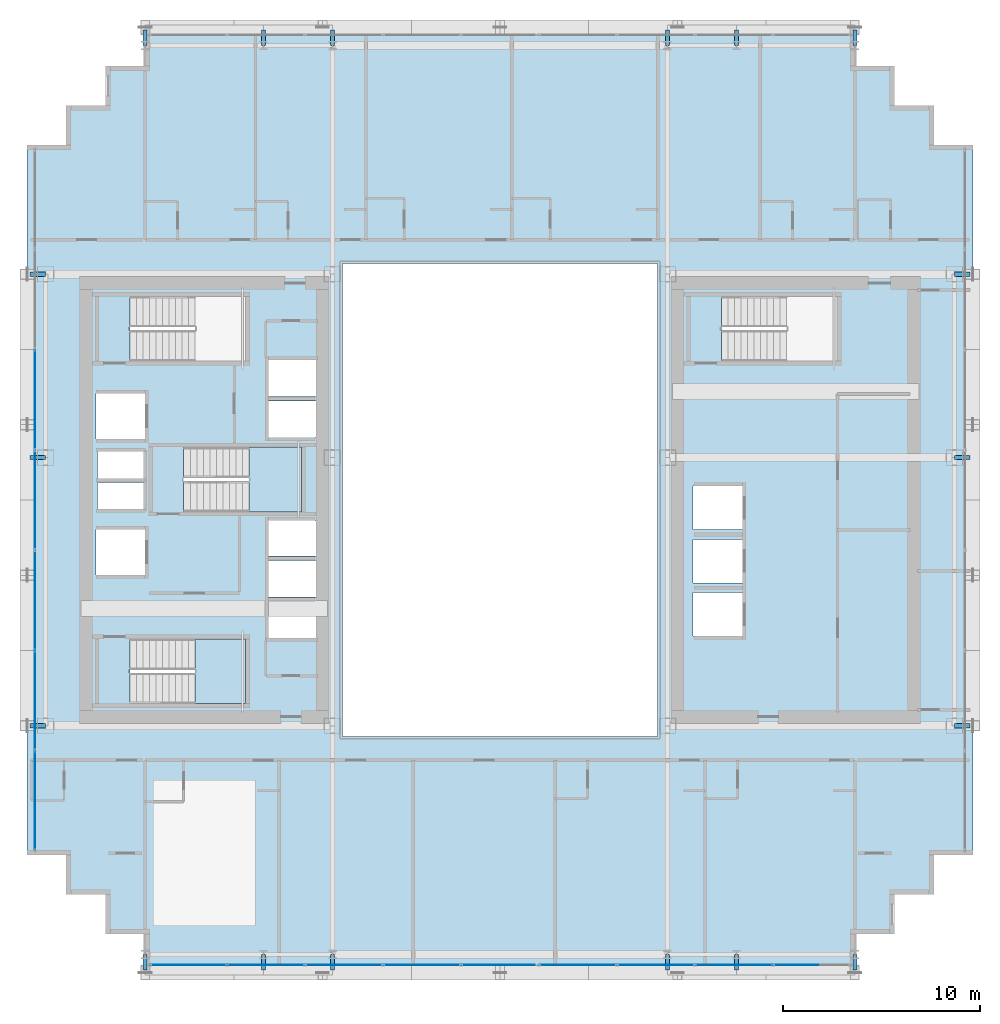
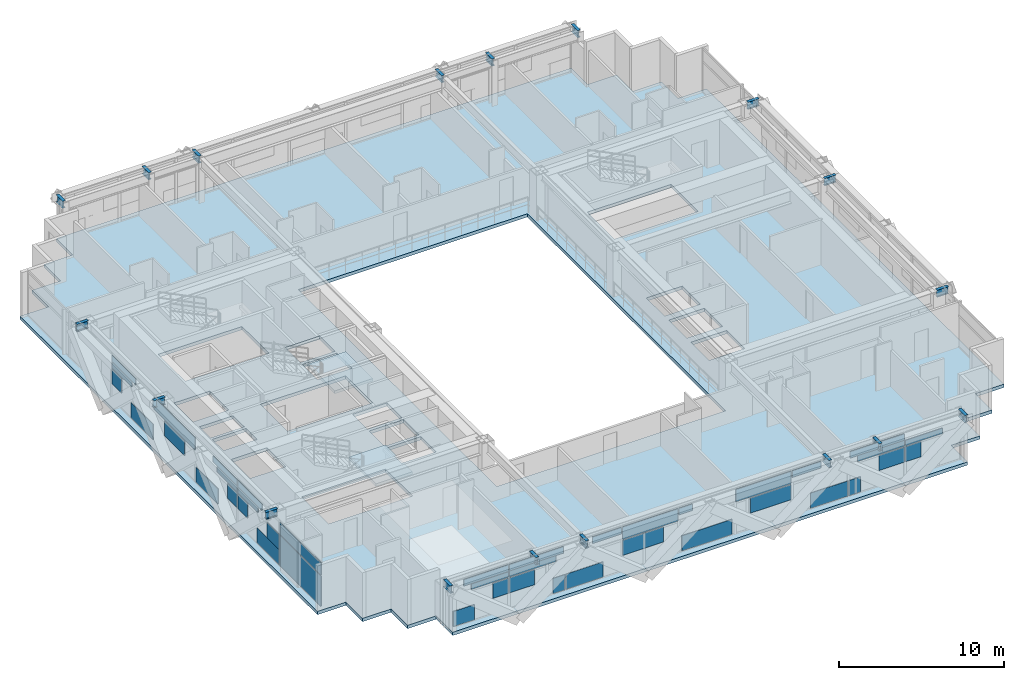
# One storey, part 23 of 35: 41 plates, 18 beams, 3 slabs, 4 elements without a shape of their own.
"""IFC4 building model written with IfcOpenShell, lengths in metres."""

from ifc_helpers import new_model, si_unit, direction, frame, origin, origin_2d, place, context, subcontext, project, spatial, polyline, rectangle, i_section, outline, extrude, source, transform, mapped, material, layer, layer_set, material_profile, profile_set, type_object, element, aggregate, save


model = new_model("IFC4")

# Units and contexts
model_context = context("Model", 3, precision=1e-05, world=origin(), true_north=direction((0.0, 1.0)))
body_context = subcontext(model_context, "Body", "Model", "MODEL_VIEW")
ifc_project = project(units=[si_unit("LENGTHUNIT", "METRE"), si_unit("AREAUNIT", "SQUARE_METRE"), si_unit("VOLUMEUNIT", "CUBIC_METRE"), si_unit("PLANEANGLEUNIT", "RADIAN"), si_unit("MASSUNIT", "GRAM", prefix="KILO")], contexts=[model_context])

# Site, building, storey
site_placement = place(None, origin())
site = spatial("IfcSite", under=ifc_project, at=site_placement, CompositionType="ELEMENT")
building_placement = place(site_placement, origin())
building = spatial("IfcBuilding", under=site, at=building_placement, Name="Ocotamira Hotel", CompositionType="ELEMENT")
storey_placement = place(building_placement, frame((0.0, 0.0, 144.0)))
storey = spatial("IfcBuildingStorey", under=building, at=storey_placement, Name="L36", CompositionType="ELEMENT", Elevation=144.0)

# Beams
ifc_material_1 = material(Name="Steel ASTM A992 Grade 50", Category="steel")
ifc_material_profile = material_profile(ifc_material_1, i_section(OverallWidth=0.2099609375, OverallDepth=0.537109375, WebThickness=0.010986328125, FlangeThickness=0.017333984375, FilletRadius=0.012939453125, at=origin_2d()), Name="W21X68")
ifc_profile_set = profile_set([ifc_material_profile], Name="Steel ASTM A992 Grade 50")
beam_type = type_object("IfcBeamType", Name="BM-SEC-W21X68", PredefinedType="JOIST", material=ifc_profile_set)
shared_shape_1 = source(origin(), body_context, "Body", "SweptSolid", [
    extrude(i_section(OverallWidth=0.2099609375, OverallDepth=0.537109375, WebThickness=0.010986328125, FlangeThickness=0.017333984375, FilletRadius=0.012939453125, at=origin_2d()), origin(), (0.0, 0.0, 1.0), 0.800048828125),
])
for number, where, z_axis, x_axis, name in (
    (1, (14.0, 2.949951171875, 3.091552734375), (0.0, -1.0, 0.0), (1.0, 0.0, 0.0), "L36 South Edge Header X14"),
    (2, (14.0, 49.050048828125, 3.091552734375), (0.0, 1.0, 0.0), (-1.0, 0.0, 0.0), "L36 North Edge Header X14"),
    (3, (20.0, 2.949951171875, 3.091552734375), (0.0, -1.0, 0.0), (1.0, 0.0, 0.0), "L36 South Edge Header X20"),
    (4, (20.0, 49.050048828125, 3.091552734375), (0.0, 1.0, 0.0), (-1.0, 0.0, 0.0), "L36 North Edge Header X20"),
    (5, (23.5, 2.949951171875, 3.091552734375), (0.0, -1.0, 0.0), (1.0, 0.0, 0.0), "L36 South Edge Header X23.5"),
    (6, (23.5, 49.050048828125, 3.091552734375), (0.0, 1.0, 0.0), (-1.0, 0.0, 0.0), "L36 North Edge Header X23.5"),
    (7, (40.5, 2.949951171875, 3.091552734375), (0.0, -1.0, 0.0), (1.0, 0.0, 0.0), "L36 South Edge Header X40.5"),
    (8, (40.5, 49.050048828125, 3.091552734375), (0.0, 1.0, 0.0), (-1.0, 0.0, 0.0), "L36 North Edge Header X40.5"),
    (9, (44.0, 2.949951171875, 3.091552734375), (0.0, -1.0, 0.0), (1.0, 0.0, 0.0), "L36 South Edge Header X44"),
    (10, (44.0, 49.050048828125, 3.091552734375), (0.0, 1.0, 0.0), (-1.0, 0.0, 0.0), "L36 North Edge Header X44"),
    (11, (50.0, 2.949951171875, 3.091552734375), (0.0, -1.0, 0.0), (1.0, 0.0, 0.0), "L36 South Edge Header X50"),
    (12, (50.0, 49.050048828125, 3.091552734375), (0.0, 1.0, 0.0), (-1.0, 0.0, 0.0), "L36 North Edge Header X50"),
    (13, (8.949951171875, 14.550048828125, 3.091552734375), (-1.0, 0.0, 0.0), (0.0, -1.0, 0.0), "L36 West Edge Header Y14.55"),
    (14, (55.050048828125, 14.550048828125, 3.091552734375), (1.0, 0.0, 0.0), (0.0, 1.0, 0.0), "L36 East Edge Header Y14.55"),
    (15, (8.949951171875, 28.14990234375, 3.091552734375), (-1.0, 0.0, 0.0), (0.0, -1.0, 0.0), "L36 West Edge Header Y28.15"),
    (16, (55.050048828125, 28.14990234375, 3.091552734375), (1.0, 0.0, 0.0), (0.0, 1.0, 0.0), "L36 East Edge Header Y28.15"),
    (17, (8.949951171875, 37.449951171875, 3.091552734375), (-1.0, 0.0, 0.0), (0.0, -1.0, 0.0), "L36 West Edge Header Y37.45"),
    (18, (55.050048828125, 37.449951171875, 3.091552734375), (1.0, 0.0, 0.0), (0.0, 1.0, 0.0), "L36 East Edge Header Y37.45"),
):
    element("IfcBeam", number, at=place(storey_placement, frame(where, z_axis=z_axis, x_axis=x_axis)), inside=storey, type_object=beam_type, Name=name, PredefinedType="JOIST", context=body_context, shape_type="MappedRepresentation", body=[
        mapped(shared_shape_1, transform((0.0, 0.0, 0.0), scale=1.0)),
    ])

# Stair, slab
ifc_material_2 = material(Name="Concrete C40/50", Category="concrete")
stair_type = type_object("IfcStairType", Name="ST-CORE-1560", PredefinedType="HALF_TURN_STAIR", material=ifc_material_2)
stair_1_placement = place(storey_placement, origin())
stair_1 = element("IfcStair", 19, at=stair_1_placement, inside=storey, type_object=stair_type, Name="L36 Exit Stair ST-1", PredefinedType="HALF_TURN_STAIR")
ifc_layer_1 = layer(ifc_material_2, 0.199951171875)
ifc_layer_set_1 = layer_set([ifc_layer_1], Name="Concrete C40/50")
slab_type_1 = type_object("IfcSlabType", Name="SLB-LAND-200", PredefinedType="LANDING", material=ifc_layer_set_1)
slab_1_placement = place(storey_placement, frame((0.0, 0.0, 1.60009765625)))
slab_1 = element("IfcSlab", 20, at=slab_1_placement, type_object=slab_type_1, Name="ST-1 landing 1", PredefinedType="LANDING", context=body_context, shape_type="SweptSolid", body=[
    extrude(outline(polyline([(16.530029296875, 15.669921875), (19.090087890625, 15.669921875), (19.090087890625, 18.949951171875), (16.530029296875, 18.949951171875), (16.530029296875, 15.669921875)])), origin(), (0.0, 0.0, 1.0), 0.199951171875),
])
aggregate(stair_1, [slab_1])

stair_2_placement = place(storey_placement, origin())
stair_2 = element("IfcStair", 21, at=stair_2_placement, inside=storey, type_object=stair_type, Name="L36 Exit Stair ST-3", PredefinedType="HALF_TURN_STAIR")
slab_2_placement = place(storey_placement, frame((0.0, 0.0, 1.60009765625)))
slab_2 = element("IfcSlab", 22, at=slab_2_placement, type_object=slab_type_1, Name="ST-3 landing 1", PredefinedType="LANDING", context=body_context, shape_type="SweptSolid", body=[
    extrude(outline(polyline([(19.260009765625, 25.39990234375), (21.919921875, 25.39990234375), (21.919921875, 28.679931640625), (19.260009765625, 28.679931640625), (19.260009765625, 25.39990234375)])), origin(), (0.0, 0.0, 1.0), 0.199951171875),
])
aggregate(stair_2, [slab_2])

# Slab
ifc_layer_2 = layer(ifc_material_2, 0.239990234375)
ifc_layer_set_2 = layer_set([ifc_layer_2], Name="Concrete C40/50")
slab_type_2 = type_object("IfcSlabType", Name="SLB-TYP-240", PredefinedType="FLOOR", material=ifc_layer_set_2)
slab_3_placement = place(storey_placement, frame((0.0, 0.0, -0.239990234375)))
element("IfcSlab", 23, at=slab_3_placement, inside=storey, type_object=slab_type_2, Name="L36 Structural Floor Slab", PredefinedType="FLOOR", context=body_context, shape_type="SweptSolid", body=[
    extrude(outline(polyline([(14.0, 2.0), (50.0, 2.0), (50.0, 4.0), (52.0, 4.0), (52.0, 6.0), (54.0, 6.0), (54.0, 8.0), (56.0, 8.0), (56.0, 44.0), (54.0, 44.0), (54.0, 46.0), (52.0, 46.0), (52.0, 48.0), (50.0, 48.0), (50.0, 50.0), (14.0, 50.0), (14.0, 48.0), (12.0, 48.0), (12.0, 46.0), (10.0, 46.0), (10.0, 44.0), (8.0, 44.0), (8.0, 8.0), (10.0, 8.0), (10.0, 6.0), (12.0, 6.0), (12.0, 4.0), (14.0, 4.0), (14.0, 2.0)]), holes=[polyline([(24.0, 14.0), (40.0, 14.0), (40.0, 38.0), (24.0, 38.0), (24.0, 14.0)]), polyline([(13.22998046875, 15.669921875), (19.090087890625, 15.669921875), (19.090087890625, 18.949951171875), (13.22998046875, 18.949951171875), (13.22998046875, 15.669921875)]), polyline([(13.22998046875, 33.050048828125), (19.090087890625, 33.050048828125), (19.090087890625, 36.330078125), (13.22998046875, 36.330078125), (13.22998046875, 33.050048828125)]), polyline([(15.9599609375, 25.39990234375), (21.919921875, 25.39990234375), (21.919921875, 28.679931640625), (15.9599609375, 28.679931640625), (15.9599609375, 25.39990234375)]), polyline([(43.22998046875, 33.050048828125), (49.090087890625, 33.050048828125), (49.090087890625, 36.330078125), (43.22998046875, 36.330078125), (43.22998046875, 33.050048828125)]), polyline([(41.800048828125, 19.10009765625), (44.300048828125, 19.10009765625), (44.300048828125, 21.300048828125), (41.800048828125, 21.300048828125), (41.800048828125, 19.10009765625)]), polyline([(41.800048828125, 21.800048828125), (44.300048828125, 21.800048828125), (44.300048828125, 24.0), (41.800048828125, 24.0), (41.800048828125, 21.800048828125)]), polyline([(41.800048828125, 24.5), (44.300048828125, 24.5), (44.300048828125, 26.699951171875), (41.800048828125, 26.699951171875), (41.800048828125, 24.5)]), polyline([(20.25, 19.0), (22.659912109375, 19.0), (22.659912109375, 20.85009765625), (20.25, 20.85009765625), (20.25, 19.0)]), polyline([(20.25, 21.080078125), (22.659912109375, 21.080078125), (22.659912109375, 22.929931640625), (20.25, 22.929931640625), (20.25, 21.080078125)]), polyline([(20.25, 23.159912109375), (22.659912109375, 23.159912109375), (22.659912109375, 24.9599609375), (20.25, 24.9599609375), (20.25, 23.159912109375)]), polyline([(20.25, 29.179931640625), (22.659912109375, 29.179931640625), (22.659912109375, 31.030029296875), (20.25, 31.030029296875), (20.25, 29.179931640625)]), polyline([(20.25, 31.260009765625), (22.659912109375, 31.260009765625), (22.659912109375, 33.110107421875), (20.25, 33.110107421875), (20.25, 31.260009765625)]), polyline([(11.5, 22.199951171875), (14.0, 22.199951171875), (14.0, 24.5), (11.5, 24.5), (11.5, 22.199951171875)]), polyline([(11.5, 29.10009765625), (14.0, 29.10009765625), (14.0, 31.39990234375), (11.5, 31.39990234375), (11.5, 29.10009765625)]), polyline([(11.580078125, 25.550048828125), (13.919921875, 25.550048828125), (13.919921875, 26.89990234375), (11.580078125, 26.89990234375), (11.580078125, 25.550048828125)]), polyline([(11.580078125, 27.10009765625), (13.919921875, 27.10009765625), (13.919921875, 28.449951171875), (11.580078125, 28.449951171875), (11.580078125, 27.10009765625)])]), origin(), (0.0, 0.0, 1.0), 0.239990234375),
])

# Curtain wall, plate
ifc_material_3 = material(Name="Anodised pale-metal aluminium and solar glass", Category="aluminium")
ifc_layer_3 = layer(ifc_material_3, 0.179931640625)
ifc_layer_set_3 = layer_set([ifc_layer_3], Name="Anodised pale-metal aluminium and solar glass")
curtain_wall_type = type_object("IfcCurtainWallType", Name="CW-SYS3-Z2", PredefinedType="NOTDEFINED", material=ifc_layer_set_3)
curtain_wall_1_placement = place(storey_placement, origin())
curtain_wall_1 = element("IfcCurtainWall", 24, at=curtain_wall_1_placement, inside=storey, type_object=curtain_wall_type, Name="L36 Curtain Wall CW-3 CW-L36-W", PredefinedType="NOTDEFINED")
ifc_material_4 = material(Name="Double-silver low-E insulated solar glass", Category="glass")
ifc_layer_4 = layer(ifc_material_4, 0.031982421875)
ifc_layer_set_4 = layer_set([ifc_layer_4], Name="Double-silver low-E insulated solar glass")
plate_type = type_object("IfcPlateType", Name="CWP-VISION-32", PredefinedType="CURTAIN_PANEL", material=ifc_layer_set_4)
shared_shape_2 = source(origin(), body_context, "Body", "SweptSolid", [
    extrude(rectangle(XDim=4.9658203125, YDim=0.031982421875, at=origin_2d()), origin(), (0.0, 0.0, 1.0), 2.237548828125),
])
plate_1_placement = place(storey_placement, frame((8.419921875, 10.762939453125, 0.0751953125), z_axis=(0.0, 0.0, 1.0), x_axis=(0.0, 1.0, 0.0)))
plate_1 = element("IfcPlate", 25, at=plate_1_placement, type_object=plate_type, Name="CW-3 panel 1.1", PredefinedType="CURTAIN_PANEL", context=body_context, shape_type="MappedRepresentation", body=[
    mapped(shared_shape_2, transform((0.0, 0.0, 0.0), scale=1.0)),
])

# Curtain wall, plates
curtain_wall_2_placement = place(storey_placement, origin())
curtain_wall_2 = element("IfcCurtainWall", 26, at=curtain_wall_2_placement, inside=storey, type_object=curtain_wall_type, Name="L36 Curtain Wall CW-3 CW-L36-S1", PredefinedType="NOTDEFINED")
shared_shape_3 = source(origin(), body_context, "Body", "SweptSolid", [
    extrude(rectangle(XDim=3.87548828125, YDim=0.031982421875, at=origin_2d()), origin(), (0.0, 0.0, 1.0), 0.8974609375),
])
plate_2_placement = place(storey_placement, frame((28.04443359375, 2.419921875, 2.387451171875), z_axis=(0.0, 0.0, 1.0), x_axis=(1.0, 0.0, 0.0)))
plate_2 = element("IfcPlate", 27, at=plate_2_placement, type_object=plate_type, Name="CW-3 panel 4.2", PredefinedType="CURTAIN_PANEL", context=body_context, shape_type="MappedRepresentation", body=[
    mapped(shared_shape_3, transform((0.0, 0.0, 0.0), scale=1.0)),
])
plate_3_placement = place(storey_placement, frame((35.95556640625, 2.419921875, 2.387451171875), z_axis=(0.0, 0.0, 1.0), x_axis=(1.0, 0.0, 0.0)))
plate_3 = element("IfcPlate", 28, at=plate_3_placement, type_object=plate_type, Name="CW-3 panel 6.2", PredefinedType="CURTAIN_PANEL", context=body_context, shape_type="MappedRepresentation", body=[
    mapped(shared_shape_3, transform((0.0, 0.0, 0.0), scale=1.0)),
])

# Plate
shared_shape_4 = source(origin(), body_context, "Body", "SweptSolid", [
    extrude(rectangle(XDim=4.9658203125, YDim=0.031982421875, at=origin_2d()), origin(), (0.0, 0.0, 1.0), 0.8974609375),
])
plate_4_placement = place(storey_placement, frame((8.419921875, 10.762939453125, 2.387451171875), z_axis=(0.0, 0.0, 1.0), x_axis=(0.0, 1.0, 0.0)))
plate_4 = element("IfcPlate", 29, at=plate_4_placement, type_object=plate_type, Name="CW-3 panel 1.2", PredefinedType="CURTAIN_PANEL", context=body_context, shape_type="MappedRepresentation", body=[
    mapped(shared_shape_4, transform((0.0, 0.0, 0.0), scale=1.0)),
])

shared_shape_5 = source(origin(), body_context, "Body", "SweptSolid", [
    extrude(rectangle(XDim=2.404296875, YDim=0.031982421875, at=origin_2d()), origin(), (0.0, 0.0, 1.0), 1.118896484375),
])
plate_5_placement = place(storey_placement, frame((8.419921875, 26.0, 1.19384765625), z_axis=(0.0, 0.0, 1.0), x_axis=(0.0, 1.0, 0.0)))
plate_5 = element("IfcPlate", 30, at=plate_5_placement, type_object=plate_type, Name="CW-3 panel 4.1.1", PredefinedType="CURTAIN_PANEL", context=body_context, shape_type="MappedRepresentation", body=[
    mapped(shared_shape_5, transform((0.0, 0.0, 0.0), scale=1.0)),
])

shared_shape_6 = source(origin(), body_context, "Body", "SweptSolid", [
    extrude(rectangle(XDim=1.47509765625, YDim=0.031982421875, at=origin_2d()), origin(), (0.0, 0.0, 1.0), 1.118896484375),
])
plate_6_placement = place(storey_placement, frame((15.017578125, 2.419921875, 0.0751953125), z_axis=(0.0, 0.0, 1.0), x_axis=(1.0, 0.0, 0.0)))
plate_6 = element("IfcPlate", 31, at=plate_6_placement, type_object=plate_type, Name="CW-3 panel 1.1.1", PredefinedType="CURTAIN_PANEL", context=body_context, shape_type="MappedRepresentation", body=[
    mapped(shared_shape_6, transform((0.0, 0.0, 0.0), scale=1.0)),
])

shared_shape_7 = source(origin(), body_context, "Body", "SweptSolid", [
    extrude(rectangle(XDim=3.104248046875, YDim=0.031982421875, at=origin_2d()), origin(), (0.0, 0.0, 1.0), 0.4716796875),
])
plate_7_placement = place(storey_placement, frame((16.5634765625, 2.419921875, 2.813232421875), z_axis=(0.0, 0.0, 1.0), x_axis=(1.0, 0.0, 0.0)))
plate_7 = element("IfcPlate", 32, at=plate_7_placement, type_object=plate_type, Name="CW-3 panel 1.2.1", PredefinedType="CURTAIN_PANEL", context=body_context, shape_type="MappedRepresentation", body=[
    mapped(shared_shape_7, transform((0.0, 0.0, 0.0), scale=1.0)),
])

shared_shape_8 = source(origin(), body_context, "Body", "SweptSolid", [
    extrude(rectangle(XDim=0.826171875, YDim=0.031982421875, at=origin_2d()), origin(), (0.0, 0.0, 1.0), 1.118896484375),
])
plate_8_placement = place(storey_placement, frame((21.658203125, 2.419921875, 0.0751953125), z_axis=(0.0, 0.0, 1.0), x_axis=(1.0, 0.0, 0.0)))
plate_8 = element("IfcPlate", 33, at=plate_8_placement, type_object=plate_type, Name="CW-3 panel 2.1.2", PredefinedType="CURTAIN_PANEL", context=body_context, shape_type="MappedRepresentation", body=[
    mapped(shared_shape_8, transform((0.0, 0.0, 0.0), scale=1.0)),
])

plate_9_placement = place(storey_placement, frame((42.341796875, 2.419921875, 0.0751953125), z_axis=(0.0, 0.0, 1.0), x_axis=(1.0, 0.0, 0.0)))
plate_9 = element("IfcPlate", 34, at=plate_9_placement, type_object=plate_type, Name="CW-3 panel 8.1.1", PredefinedType="CURTAIN_PANEL", context=body_context, shape_type="MappedRepresentation", body=[
    mapped(shared_shape_8, transform((0.0, 0.0, 0.0), scale=1.0)),
])

shared_shape_9 = source(origin(), body_context, "Body", "SweptSolid", [
    extrude(rectangle(XDim=3.260986328125, YDim=0.031982421875, at=origin_2d()), origin(), (0.0, 0.0, 1.0), 0.42578125),
])
plate_10_placement = place(storey_placement, frame((19.826171875, 2.419921875, 2.387451171875), z_axis=(0.0, 0.0, 1.0), x_axis=(1.0, 0.0, 0.0)))
plate_10 = element("IfcPlate", 35, at=plate_10_placement, type_object=plate_type, Name="CW-3 panel 2.2.1", PredefinedType="CURTAIN_PANEL", context=body_context, shape_type="MappedRepresentation", body=[
    mapped(shared_shape_9, transform((0.0, 0.0, 0.0), scale=1.0)),
])

plate_11_placement = place(storey_placement, frame((44.173828125, 2.419921875, 2.387451171875), z_axis=(0.0, 0.0, 1.0), x_axis=(1.0, 0.0, 0.0)))
plate_11 = element("IfcPlate", 36, at=plate_11_placement, type_object=plate_type, Name="CW-3 panel 8.2.2", PredefinedType="CURTAIN_PANEL", context=body_context, shape_type="MappedRepresentation", body=[
    mapped(shared_shape_9, transform((0.0, 0.0, 0.0), scale=1.0)),
])

shared_shape_10 = source(origin(), body_context, "Body", "SweptSolid", [
    extrude(rectangle(XDim=3.793212890625, YDim=0.031982421875, at=origin_2d()), origin(), (0.0, 0.0, 1.0), 0.4716796875),
])
plate_12_placement = place(storey_placement, frame((20.09228515625, 2.419921875, 2.813232421875), z_axis=(0.0, 0.0, 1.0), x_axis=(1.0, 0.0, 0.0)))
plate_12 = element("IfcPlate", 37, at=plate_12_placement, type_object=plate_type, Name="CW-3 panel 2.2.2", PredefinedType="CURTAIN_PANEL", context=body_context, shape_type="MappedRepresentation", body=[
    mapped(shared_shape_10, transform((0.0, 0.0, 0.0), scale=1.0)),
])

plate_13_placement = place(storey_placement, frame((43.90771484375, 2.419921875, 2.813232421875), z_axis=(0.0, 0.0, 1.0), x_axis=(1.0, 0.0, 0.0)))
plate_13 = element("IfcPlate", 38, at=plate_13_placement, type_object=plate_type, Name="CW-3 panel 8.2.1", PredefinedType="CURTAIN_PANEL", context=body_context, shape_type="MappedRepresentation", body=[
    mapped(shared_shape_10, transform((0.0, 0.0, 0.0), scale=1.0)),
])

shared_shape_11 = source(origin(), body_context, "Body", "SweptSolid", [
    extrude(rectangle(XDim=2.60400390625, YDim=0.031982421875, at=origin_2d()), origin(), (0.0, 0.0, 1.0), 1.118896484375),
])
plate_14_placement = place(storey_placement, frame((23.453125, 2.419921875, 0.0751953125), z_axis=(0.0, 0.0, 1.0), x_axis=(1.0, 0.0, 0.0)))
plate_14 = element("IfcPlate", 39, at=plate_14_placement, type_object=plate_type, Name="CW-3 panel 3.1.1", PredefinedType="CURTAIN_PANEL", context=body_context, shape_type="MappedRepresentation", body=[
    mapped(shared_shape_11, transform((0.0, 0.0, 0.0), scale=1.0)),
])

plate_15_placement = place(storey_placement, frame((40.546875, 2.419921875, 0.0751953125), z_axis=(0.0, 0.0, 1.0), x_axis=(1.0, 0.0, 0.0)))
plate_15 = element("IfcPlate", 40, at=plate_15_placement, type_object=plate_type, Name="CW-3 panel 7.1.1", PredefinedType="CURTAIN_PANEL", context=body_context, shape_type="MappedRepresentation", body=[
    mapped(shared_shape_11, transform((0.0, 0.0, 0.0), scale=1.0)),
])

shared_shape_12 = source(origin(), body_context, "Body", "SweptSolid", [
    extrude(rectangle(XDim=2.015380859375, YDim=0.031982421875, at=origin_2d()), origin(), (0.0, 0.0, 1.0), 0.4716796875),
])
plate_16_placement = place(storey_placement, frame((25.018798828125, 2.419921875, 2.813232421875), z_axis=(0.0, 0.0, 1.0), x_axis=(1.0, 0.0, 0.0)))
plate_16 = element("IfcPlate", 41, at=plate_16_placement, type_object=plate_type, Name="CW-3 panel 3.2.1", PredefinedType="CURTAIN_PANEL", context=body_context, shape_type="MappedRepresentation", body=[
    mapped(shared_shape_12, transform((0.0, 0.0, 0.0), scale=1.0)),
])

plate_17_placement = place(storey_placement, frame((38.981201171875, 2.419921875, 2.813232421875), z_axis=(0.0, 0.0, 1.0), x_axis=(1.0, 0.0, 0.0)))
plate_17 = element("IfcPlate", 42, at=plate_17_placement, type_object=plate_type, Name="CW-3 panel 7.2.1", PredefinedType="CURTAIN_PANEL", context=body_context, shape_type="MappedRepresentation", body=[
    mapped(shared_shape_12, transform((0.0, 0.0, 0.0), scale=1.0)),
])

shared_shape_13 = source(origin(), body_context, "Body", "SweptSolid", [
    extrude(rectangle(XDim=3.510009765625, YDim=0.031982421875, at=origin_2d()), origin(), (0.0, 0.0, 1.0), 1.118896484375),
])
plate_18_placement = place(storey_placement, frame((32.0, 2.419921875, 0.0751953125), z_axis=(0.0, 0.0, 1.0), x_axis=(1.0, 0.0, 0.0)))
plate_18 = element("IfcPlate", 43, at=plate_18_placement, type_object=plate_type, Name="CW-3 panel 5.1.1", PredefinedType="CURTAIN_PANEL", context=body_context, shape_type="MappedRepresentation", body=[
    mapped(shared_shape_13, transform((0.0, 0.0, 0.0), scale=1.0)),
])

shared_shape_14 = source(origin(), body_context, "Body", "SweptSolid", [
    extrude(rectangle(XDim=0.926513671875, YDim=0.031982421875, at=origin_2d()), origin(), (0.0, 0.0, 1.0), 0.4716796875),
])
plate_19_placement = place(storey_placement, frame((30.525390625, 2.419921875, 2.813232421875), z_axis=(0.0, 0.0, 1.0), x_axis=(1.0, 0.0, 0.0)))
plate_19 = element("IfcPlate", 44, at=plate_19_placement, type_object=plate_type, Name="CW-3 panel 5.2.1", PredefinedType="CURTAIN_PANEL", context=body_context, shape_type="MappedRepresentation", body=[
    mapped(shared_shape_14, transform((0.0, 0.0, 0.0), scale=1.0)),
])

shared_shape_15 = source(origin(), body_context, "Body", "SweptSolid", [
    extrude(rectangle(XDim=2.6728515625, YDim=0.031982421875, at=origin_2d()), origin(), (0.0, 0.0, 1.0), 1.118896484375),
])
plate_20_placement = place(storey_placement, frame((8.419921875, 14.662109375, 0.0751953125), z_axis=(0.0, 0.0, 1.0), x_axis=(0.0, 1.0, 0.0)))
plate_20 = element("IfcPlate", 45, at=plate_20_placement, type_object=plate_type, Name="CW-3 panel 2.1.1", PredefinedType="CURTAIN_PANEL", context=body_context, shape_type="MappedRepresentation", body=[
    mapped(shared_shape_15, transform((0.0, 0.0, 0.0), scale=1.0)),
])

shared_shape_16 = source(origin(), body_context, "Body", "SweptSolid", [
    extrude(rectangle(XDim=2.908203125, YDim=0.031982421875, at=origin_2d()), origin(), (0.0, 0.0, 1.0), 0.44873046875),
])
plate_21_placement = place(storey_placement, frame((8.419921875, 16.877197265625, 2.836181640625), z_axis=(0.0, 0.0, 1.0), x_axis=(0.0, 1.0, 0.0)))
plate_21 = element("IfcPlate", 46, at=plate_21_placement, type_object=plate_type, Name="CW-3 panel 2.2.1", PredefinedType="CURTAIN_PANEL", context=body_context, shape_type="MappedRepresentation", body=[
    mapped(shared_shape_16, transform((0.0, 0.0, 0.0), scale=1.0)),
])

shared_shape_17 = source(origin(), body_context, "Body", "SweptSolid", [
    extrude(rectangle(XDim=2.6826171875, YDim=0.031982421875, at=origin_2d()), origin(), (0.0, 0.0, 1.0), 1.118896484375),
])
plate_22_placement = place(storey_placement, frame((8.419921875, 22.075927734375, 0.0751953125), z_axis=(0.0, 0.0, 1.0), x_axis=(0.0, 1.0, 0.0)))
plate_22 = element("IfcPlate", 47, at=plate_22_placement, type_object=plate_type, Name="CW-3 panel 3.1.2", PredefinedType="CURTAIN_PANEL", context=body_context, shape_type="MappedRepresentation", body=[
    mapped(shared_shape_17, transform((0.0, 0.0, 0.0), scale=1.0)),
])

plate_23_placement = place(storey_placement, frame((8.419921875, 29.924072265625, 0.0751953125), z_axis=(0.0, 0.0, 1.0), x_axis=(0.0, 1.0, 0.0)))
plate_23 = element("IfcPlate", 48, at=plate_23_placement, type_object=plate_type, Name="CW-3 panel 5.1.1", PredefinedType="CURTAIN_PANEL", context=body_context, shape_type="MappedRepresentation", body=[
    mapped(shared_shape_17, transform((0.0, 0.0, 0.0), scale=1.0)),
])

shared_shape_18 = source(origin(), body_context, "Body", "SweptSolid", [
    extrude(rectangle(XDim=2.898681640625, YDim=0.031982421875, at=origin_2d()), origin(), (0.0, 0.0, 1.0), 0.44873046875),
])
plate_24_placement = place(storey_placement, frame((8.419921875, 19.860595703125, 2.836181640625), z_axis=(0.0, 0.0, 1.0), x_axis=(0.0, 1.0, 0.0)))
plate_24 = element("IfcPlate", 49, at=plate_24_placement, type_object=plate_type, Name="CW-3 panel 3.2.2", PredefinedType="CURTAIN_PANEL", context=body_context, shape_type="MappedRepresentation", body=[
    mapped(shared_shape_18, transform((0.0, 0.0, 0.0), scale=1.0)),
])

plate_25_placement = place(storey_placement, frame((8.419921875, 32.139404296875, 2.836181640625), z_axis=(0.0, 0.0, 1.0), x_axis=(0.0, 1.0, 0.0)))
plate_25 = element("IfcPlate", 50, at=plate_25_placement, type_object=plate_type, Name="CW-3 panel 5.2.1", PredefinedType="CURTAIN_PANEL", context=body_context, shape_type="MappedRepresentation", body=[
    mapped(shared_shape_18, transform((0.0, 0.0, 0.0), scale=1.0)),
])

shared_shape_19 = source(origin(), body_context, "Body", "SweptSolid", [
    extrude(rectangle(XDim=5.005615234375, YDim=0.031982421875, at=origin_2d()), origin(), (0.0, 0.0, 1.0), 0.8974609375),
])
plate_26_placement = place(storey_placement, frame((8.419921875, 26.0, 2.387451171875), z_axis=(0.0, 0.0, 1.0), x_axis=(0.0, 1.0, 0.0)))
plate_26 = element("IfcPlate", 51, at=plate_26_placement, type_object=plate_type, Name="CW-3 panel 4.2", PredefinedType="CURTAIN_PANEL", context=body_context, shape_type="MappedRepresentation", body=[
    mapped(shared_shape_19, transform((0.0, 0.0, 0.0), scale=1.0)),
])

shared_shape_20 = source(origin(), body_context, "Body", "SweptSolid", [
    extrude(rectangle(XDim=1.079833984375, YDim=0.031982421875, at=origin_2d()), origin(), (0.0, 0.0, 1.0), 1.118896484375),
])
plate_27_placement = place(storey_placement, frame((17.57568359375, 2.419921875, 1.19384765625), z_axis=(0.0, 0.0, 1.0), x_axis=(1.0, 0.0, 0.0)))
plate_27 = element("IfcPlate", 52, at=plate_27_placement, type_object=plate_type, Name="CW-3 panel 1.1.2", PredefinedType="CURTAIN_PANEL", context=body_context, shape_type="MappedRepresentation", body=[
    mapped(shared_shape_20, transform((0.0, 0.0, 0.0), scale=1.0)),
])

plate_28_placement = place(storey_placement, frame((46.42431640625, 2.419921875, 1.19384765625), z_axis=(0.0, 0.0, 1.0), x_axis=(1.0, 0.0, 0.0)))
plate_28 = element("IfcPlate", 53, at=plate_28_placement, type_object=plate_type, Name="CW-3 panel 9.1.1", PredefinedType="CURTAIN_PANEL", context=body_context, shape_type="MappedRepresentation", body=[
    mapped(shared_shape_20, transform((0.0, 0.0, 0.0), scale=1.0)),
])

shared_shape_21 = source(origin(), body_context, "Body", "SweptSolid", [
    extrude(rectangle(XDim=1.768798828125, YDim=0.031982421875, at=origin_2d()), origin(), (0.0, 0.0, 1.0), 1.118896484375),
])
plate_29_placement = place(storey_placement, frame((19.080078125, 2.419921875, 1.19384765625), z_axis=(0.0, 0.0, 1.0), x_axis=(1.0, 0.0, 0.0)))
plate_29 = element("IfcPlate", 54, at=plate_29_placement, type_object=plate_type, Name="CW-3 panel 2.1.1", PredefinedType="CURTAIN_PANEL", context=body_context, shape_type="MappedRepresentation", body=[
    mapped(shared_shape_21, transform((0.0, 0.0, 0.0), scale=1.0)),
])

plate_30_placement = place(storey_placement, frame((44.919921875, 2.419921875, 1.19384765625), z_axis=(0.0, 0.0, 1.0), x_axis=(1.0, 0.0, 0.0)))
plate_30 = element("IfcPlate", 55, at=plate_30_placement, type_object=plate_type, Name="CW-3 panel 8.1.2", PredefinedType="CURTAIN_PANEL", context=body_context, shape_type="MappedRepresentation", body=[
    mapped(shared_shape_21, transform((0.0, 0.0, 0.0), scale=1.0)),
])

shared_shape_22 = source(origin(), body_context, "Body", "SweptSolid", [
    extrude(rectangle(XDim=2.857666015625, YDim=0.031982421875, at=origin_2d()), origin(), (0.0, 0.0, 1.0), 1.118896484375),
])
plate_31_placement = place(storey_placement, frame((27.535400390625, 2.419921875, 1.19384765625), z_axis=(0.0, 0.0, 1.0), x_axis=(1.0, 0.0, 0.0)))
plate_31 = element("IfcPlate", 56, at=plate_31_placement, type_object=plate_type, Name="CW-3 panel 4.1.1", PredefinedType="CURTAIN_PANEL", context=body_context, shape_type="MappedRepresentation", body=[
    mapped(shared_shape_22, transform((0.0, 0.0, 0.0), scale=1.0)),
])

plate_32_placement = place(storey_placement, frame((36.464599609375, 2.419921875, 1.19384765625), z_axis=(0.0, 0.0, 1.0), x_axis=(1.0, 0.0, 0.0)))
plate_32 = element("IfcPlate", 57, at=plate_32_placement, type_object=plate_type, Name="CW-3 panel 6.1.1", PredefinedType="CURTAIN_PANEL", context=body_context, shape_type="MappedRepresentation", body=[
    mapped(shared_shape_22, transform((0.0, 0.0, 0.0), scale=1.0)),
])

shared_shape_23 = source(origin(), body_context, "Body", "SweptSolid", [
    extrude(rectangle(XDim=1.48681640625, YDim=0.031982421875, at=origin_2d()), origin(), (0.0, 0.0, 1.0), 1.118896484375),
])
plate_33_placement = place(storey_placement, frame((8.419921875, 14.069091796875, 1.19384765625), z_axis=(0.0, 0.0, 1.0), x_axis=(0.0, 1.0, 0.0)))
plate_33 = element("IfcPlate", 58, at=plate_33_placement, type_object=plate_type, Name="CW-3 panel 2.1.2", PredefinedType="CURTAIN_PANEL", context=body_context, shape_type="MappedRepresentation", body=[
    mapped(shared_shape_23, transform((0.0, 0.0, 0.0), scale=1.0)),
])

shared_shape_24 = source(origin(), body_context, "Body", "SweptSolid", [
    extrude(rectangle(XDim=1.1669921875, YDim=0.031982421875, at=origin_2d()), origin(), (0.0, 0.0, 1.0), 1.118896484375),
])
plate_34_placement = place(storey_placement, frame((8.419921875, 17.748046875, 1.19384765625), z_axis=(0.0, 0.0, 1.0), x_axis=(0.0, 1.0, 0.0)))
plate_34 = element("IfcPlate", 59, at=plate_34_placement, type_object=plate_type, Name="CW-3 panel 2.1.3", PredefinedType="CURTAIN_PANEL", context=body_context, shape_type="MappedRepresentation", body=[
    mapped(shared_shape_24, transform((0.0, 0.0, 0.0), scale=1.0)),
])

shared_shape_25 = source(origin(), body_context, "Body", "SweptSolid", [
    extrude(rectangle(XDim=1.1572265625, YDim=0.031982421875, at=origin_2d()), origin(), (0.0, 0.0, 1.0), 1.118896484375),
])
plate_35_placement = place(storey_placement, frame((8.419921875, 18.989990234375, 1.19384765625), z_axis=(0.0, 0.0, 1.0), x_axis=(0.0, 1.0, 0.0)))
plate_35 = element("IfcPlate", 60, at=plate_35_placement, type_object=plate_type, Name="CW-3 panel 3.1.1", PredefinedType="CURTAIN_PANEL", context=body_context, shape_type="MappedRepresentation", body=[
    mapped(shared_shape_25, transform((0.0, 0.0, 0.0), scale=1.0)),
])

plate_36_placement = place(storey_placement, frame((8.419921875, 33.010009765625, 1.19384765625), z_axis=(0.0, 0.0, 1.0), x_axis=(0.0, 1.0, 0.0)))
plate_36 = element("IfcPlate", 61, at=plate_36_placement, type_object=plate_type, Name="CW-3 panel 5.1.2", PredefinedType="CURTAIN_PANEL", context=body_context, shape_type="MappedRepresentation", body=[
    mapped(shared_shape_25, transform((0.0, 0.0, 0.0), scale=1.0)),
])

shared_shape_26 = source(origin(), body_context, "Body", "SweptSolid", [
    extrude(rectangle(XDim=2.572021484375, YDim=0.031982421875, at=origin_2d()), origin(), (0.0, 0.0, 1.0), 0.39208984375),
])
plate_37_placement = place(storey_placement, frame((16.82958984375, 2.419921875, 2.387451171875), z_axis=(0.0, 0.0, 1.0), x_axis=(1.0, 0.0, 0.0)))
plate_37 = element("IfcPlate", 62, at=plate_37_placement, type_object=plate_type, Name="CW-3 panel 1.2.2", PredefinedType="CURTAIN_PANEL", context=body_context, shape_type="MappedRepresentation", body=[
    mapped(shared_shape_26, transform((0.0, 0.0, 0.0), scale=1.0)),
])

plate_38_placement = place(storey_placement, frame((47.17041015625, 2.419921875, 2.387451171875), z_axis=(0.0, 0.0, 1.0), x_axis=(1.0, 0.0, 0.0)))
plate_38 = element("IfcPlate", 63, at=plate_38_placement, type_object=plate_type, Name="CW-3 panel 9.2.1", PredefinedType="CURTAIN_PANEL", context=body_context, shape_type="MappedRepresentation", body=[
    mapped(shared_shape_26, transform((0.0, 0.0, 0.0), scale=1.0)),
])

aggregate(curtain_wall_2, [plate_6, plate_27, plate_7, plate_37, plate_29, plate_8, plate_10, plate_12, plate_14, plate_16, plate_31, plate_2, plate_18, plate_19, plate_32, plate_3, plate_15, plate_17, plate_9, plate_30, plate_13, plate_11, plate_28, plate_38])

shared_shape_27 = source(origin(), body_context, "Body", "SweptSolid", [
    extrude(rectangle(XDim=2.4326171875, YDim=0.031982421875, at=origin_2d()), origin(), (0.0, 0.0, 1.0), 0.41162109375),
])
plate_39_placement = place(storey_placement, frame((8.419921875, 17.115234375, 2.387451171875), z_axis=(0.0, 0.0, 1.0), x_axis=(0.0, 1.0, 0.0)))
plate_39 = element("IfcPlate", 64, at=plate_39_placement, type_object=plate_type, Name="CW-3 panel 2.2.2", PredefinedType="CURTAIN_PANEL", context=body_context, shape_type="MappedRepresentation", body=[
    mapped(shared_shape_27, transform((0.0, 0.0, 0.0), scale=1.0)),
])

shared_shape_28 = source(origin(), body_context, "Body", "SweptSolid", [
    extrude(rectangle(XDim=2.4228515625, YDim=0.031982421875, at=origin_2d()), origin(), (0.0, 0.0, 1.0), 0.41162109375),
])
plate_40_placement = place(storey_placement, frame((8.419921875, 19.622802734375, 2.387451171875), z_axis=(0.0, 0.0, 1.0), x_axis=(0.0, 1.0, 0.0)))
plate_40 = element("IfcPlate", 65, at=plate_40_placement, type_object=plate_type, Name="CW-3 panel 3.2.1", PredefinedType="CURTAIN_PANEL", context=body_context, shape_type="MappedRepresentation", body=[
    mapped(shared_shape_28, transform((0.0, 0.0, 0.0), scale=1.0)),
])

plate_41_placement = place(storey_placement, frame((8.419921875, 32.377197265625, 2.387451171875), z_axis=(0.0, 0.0, 1.0), x_axis=(0.0, 1.0, 0.0)))
plate_41 = element("IfcPlate", 66, at=plate_41_placement, type_object=plate_type, Name="CW-3 panel 5.2.2", PredefinedType="CURTAIN_PANEL", context=body_context, shape_type="MappedRepresentation", body=[
    mapped(shared_shape_28, transform((0.0, 0.0, 0.0), scale=1.0)),
])

aggregate(curtain_wall_1, [plate_1, plate_4, plate_20, plate_33, plate_34, plate_21, plate_39, plate_35, plate_22, plate_40, plate_24, plate_5, plate_26, plate_23, plate_36, plate_25, plate_41])

save(model, "model.ifc")
